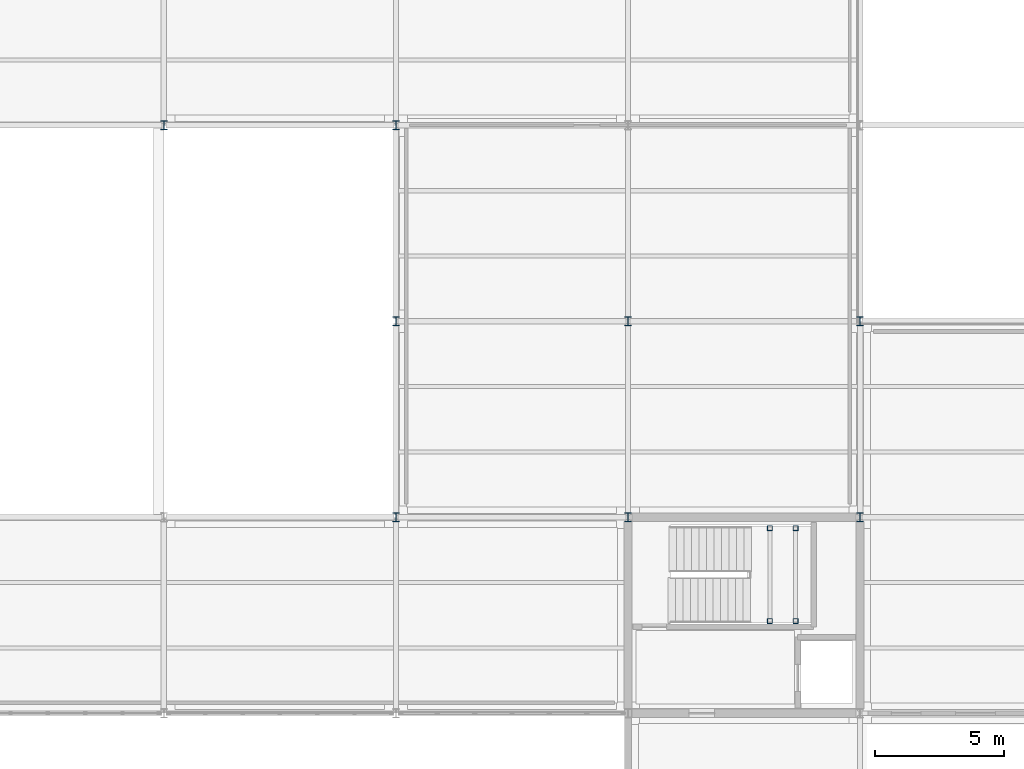
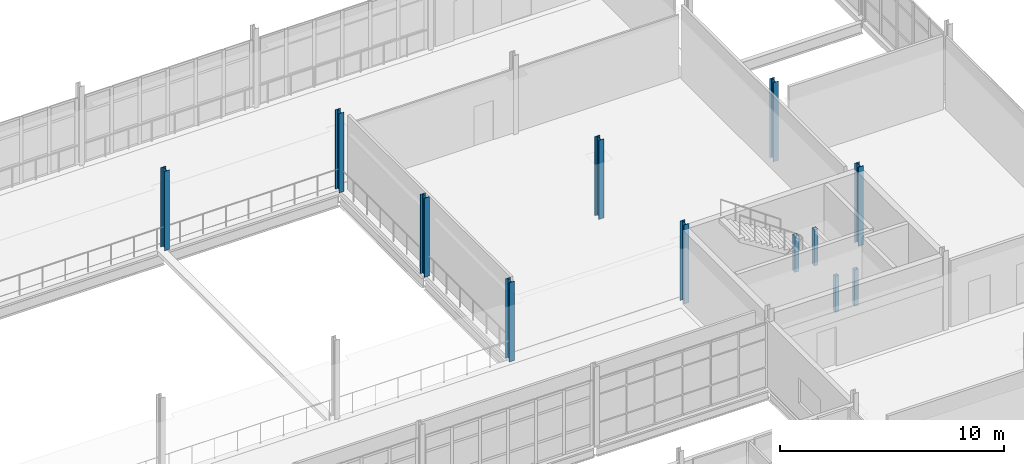
# One storey, part 7 of 174: 12 columns.
"""IFC4 building model written with IfcOpenShell, lengths in metres."""

import ifcopenshell
import ifcopenshell.guid

model = None  # the IFC model being written
_history = None  # IfcOwnerHistory: only IFC2X3 demands one
_inside = {}  # id of a spatial element -> (the spatial element, [elements in it])
_under = {}  # id of a project, library or spatial element -> (it, [spatial elements below it])
_declared = {}  # id of a project -> (the project, [libraries it declares])
_typed = {}  # id of a type object -> (the type object, [elements of that type])
_made_of = {}  # id of a material, layer set ... -> (it, [elements and type objects made of it])


def new_model(schema):
    """Start an empty IFC model of exactly this schema.

    Asked for "IFC4X3", IfcOpenShell would pick the latest addendum, in which some entities
    have other attributes; the version numbers below select the first issue.
    IFC2X3 requires an IfcOwnerHistory on every rooted entity: one is made here for all.
    """
    global model, _history
    if schema == "IFC4X3":
        model = ifcopenshell.file(schema_version=(4, 3, 0, 0))
    else:
        model = ifcopenshell.file(schema=schema)
    _inside.clear()
    _under.clear()
    _declared.clear()
    _typed.clear()
    _made_of.clear()
    _history = None
    if model.schema == "IFC2X3":
        org = make("IfcOrganization", Name="unknown")
        user = make(
            "IfcPersonAndOrganization",
            ThePerson=make("IfcPerson", FamilyName="unknown"),
            TheOrganization=org,
        )
        app = make(
            "IfcApplication",
            ApplicationDeveloper=org,
            Version="unknown",
            ApplicationFullName="unknown",
            ApplicationIdentifier="unknown",
        )
        _history = make(
            "IfcOwnerHistory",
            OwningUser=user,
            OwningApplication=app,
            ChangeAction="ADDED",
            CreationDate=0,
        )
    return model


def make(cls, **values):
    """One entity of the class cls with the attributes given. An attribute that is None is left unset."""
    return model.create_entity(
        cls, **{name: value for name, value in values.items() if value is not None}
    )


def rooted(cls, **values):
    """An entity with a GlobalId (a new one), such as an element, a storey or a relation."""
    return make(cls, GlobalId=ifcopenshell.guid.new(), OwnerHistory=_history, **values)


def si_unit(unit_type, name, prefix=None):
    """IfcSIUnit, for example si_unit("LENGTHUNIT", "METRE", prefix="MILLI")."""
    return make("IfcSIUnit", UnitType=unit_type, Prefix=prefix, Name=name)


def assignment(units):
    """IfcUnitAssignment: the units of a project."""
    return None if units is None else make("IfcUnitAssignment", Units=units)


def point(xyz):
    """IfcCartesianPoint."""
    return None if xyz is None else make("IfcCartesianPoint", Coordinates=xyz)


def direction(xyz):
    """IfcDirection."""
    return None if xyz is None else make("IfcDirection", DirectionRatios=xyz)


def frame(location, z_axis=None, x_axis=None):
    """IfcAxis2Placement3D, a coordinate frame: its origin and axes. An axis left out is left unset."""
    return make(
        "IfcAxis2Placement3D",
        Location=point(location),
        Axis=direction(z_axis),
        RefDirection=direction(x_axis),
    )


def frame_2d(location, x_axis=None):
    """IfcAxis2Placement2D, a coordinate frame in the plane: its origin and x axis."""
    return make(
        "IfcAxis2Placement2D", Location=point(location), RefDirection=direction(x_axis)
    )


def origin():
    """The frame at (0, 0, 0) with its axes left unset."""
    return frame((0.0, 0.0, 0.0))


def origin_2d():
    """The frame at (0, 0) in the plane with its x axis left unset."""
    return frame_2d((0.0, 0.0))


def place(relative_to, where):
    """IfcLocalPlacement: puts the frame where relative to a parent placement (None: the world)."""
    return make(
        "IfcLocalPlacement", PlacementRelTo=relative_to, RelativePlacement=where
    )


def context(
    kind, dimensions, precision=None, world=None, true_north=None, identifier=None
):
    """IfcGeometricRepresentationContext, for example the 3D "Model" context."""
    return make(
        "IfcGeometricRepresentationContext",
        ContextIdentifier=identifier,
        ContextType=kind,
        CoordinateSpaceDimension=dimensions,
        Precision=precision,
        WorldCoordinateSystem=world,
        TrueNorth=true_north,
    )


def subcontext(parent, identifier, kind, view, scale=None):
    """IfcGeometricRepresentationSubContext, for example "Body" below "Model"."""
    return make(
        "IfcGeometricRepresentationSubContext",
        ContextIdentifier=identifier,
        ContextType=kind,
        ParentContext=parent,
        TargetScale=scale,
        TargetView=view,
    )


def project(units=None, contexts=None):
    """IfcProject with its units and contexts."""
    return rooted(
        "IfcProject",
        Name="project",
        RepresentationContexts=contexts,
        UnitsInContext=assignment(units),
    )


def spatial(cls, under=None, at=None, **own):
    """A site, building, storey or space (cls), placed at a placement, below another one or the project."""
    s = rooted(cls, ObjectPlacement=at, **own)
    if under is not None:
        _under.setdefault(under.id(), (under, []))[1].append(s)
    return s


def profile(cls, at=None, kind="AREA", **sizes):
    """A parametric profile (cls). Its sizes go by their IFC names, for example OverallWidth=200.0."""
    return make(cls, ProfileType=kind, Position=at, **sizes)


def hollow_rectangle(**sizes):
    """IfcRectangleHollowProfileDef."""
    return profile("IfcRectangleHollowProfileDef", **sizes)


def i_section(**sizes):
    """IfcIShapeProfileDef."""
    return profile("IfcIShapeProfileDef", **sizes)


def extrude(swept, where, along, depth):
    """IfcExtrudedAreaSolid: the profile swept, set in the frame where, extruded along a direction by depth."""
    return make(
        "IfcExtrudedAreaSolid",
        SweptArea=swept,
        Position=where,
        ExtrudedDirection=direction(along),
        Depth=depth,
    )


def shape(context_of_items, identifier, shape_type, items):
    """IfcShapeRepresentation: the items that make up one representation, for example the "Body"."""
    return make(
        "IfcShapeRepresentation",
        ContextOfItems=context_of_items,
        RepresentationIdentifier=identifier,
        RepresentationType=shape_type,
        Items=items,
    )


def material(Name=None, Category=None):
    """IfcMaterial."""
    return make("IfcMaterial", Name=Name, Category=Category)


def material_profile(
    of_material, cross_section, Name=None, Category=None, Priority=None
):
    """IfcMaterialProfile: a cross section and its material."""
    return make(
        "IfcMaterialProfile",
        Name=Name,
        Material=of_material,
        Profile=cross_section,
        Priority=Priority,
        Category=Category,
    )


def profile_set(profiles, Name=None, composite=None):
    """IfcMaterialProfileSet."""
    return make(
        "IfcMaterialProfileSet",
        Name=Name,
        MaterialProfiles=profiles,
        CompositeProfile=composite,
    )


def made_of(thing, what):
    """Note that an element or type object is made of a material, layer set ...; save() writes the relation."""
    if what is not None:
        _made_of.setdefault(what.id(), (what, []))[1].append(thing)
    return thing


def type_object(cls, material=None, **own):
    """A type object (cls), such as IfcWallType, which elements share."""
    return made_of(rooted(cls, **own), material)


def element(
    cls,
    number,
    at=None,
    inside=None,
    cuts=None,
    type_object=None,
    material=None,
    context=None,
    identifier="Body",
    shape_type=None,
    held_by="IfcProductDefinitionShape",
    body=None,
    shapes=None,
    **own,
):
    """One element of the class cls, such as IfcWall. Its Tag is "e" and its number.

    at: its placement. inside: the storey or other place that contains it. cuts: it is an
    opening in that element (IfcRelVoidsElement). A single representation is given by context,
    identifier, shape_type and body (its items); several are given by shapes. held_by: the class
    of the entity that holds the representations. save() writes the other relations.
    """
    e = rooted(cls, Tag="e%d" % number, ObjectPlacement=at, **own)
    if body is not None:
        shapes = [shape(context, identifier, shape_type, body)]
    if shapes is not None:
        e.Representation = make(held_by, Representations=shapes)
    if inside is not None:
        _inside.setdefault(inside.id(), (inside, []))[1].append(e)
    if cuts is not None:
        rooted(
            "IfcRelVoidsElement", RelatingBuildingElement=cuts, RelatedOpeningElement=e
        )
    if type_object is not None:
        _typed.setdefault(type_object.id(), (type_object, []))[1].append(e)
    return made_of(e, material)


def aggregate(whole, parts):
    """IfcRelAggregates: a whole, such as a stair, and the parts it consists of."""
    return rooted("IfcRelAggregates", RelatingObject=whole, RelatedObjects=parts)


def save(model, path):
    """Write the relations noted so far, then the file.

    IfcRelAggregates (storeys below a building ...), IfcRelContainedInSpatialStructure (elements
    in a storey), IfcRelDefinesByType, IfcRelAssociatesMaterial and IfcRelDeclares: one each for
    every whole, place, type object, material and project.
    """
    for whole, parts in _under.values():
        aggregate(whole, parts)
    for where, things in _inside.values():
        rooted(
            "IfcRelContainedInSpatialStructure",
            RelatedElements=things,
            RelatingStructure=where,
        )
    for kind, things in _typed.values():
        rooted("IfcRelDefinesByType", RelatedObjects=things, RelatingType=kind)
    for what, things in _made_of.values():
        rooted("IfcRelAssociatesMaterial", RelatedObjects=things, RelatingMaterial=what)
    for by, libraries in _declared.values():
        rooted("IfcRelDeclares", RelatingContext=by, RelatedDefinitions=libraries)
    model.write(path)


model = new_model("IFC4")

# Units and contexts
model_context = context("Model", 3, precision=1e-05, world=origin(), true_north=direction((0.0, 1.0)))
body_context = subcontext(model_context, "Body", "Model", "MODEL_VIEW")
ifc_project = project(units=[si_unit("LENGTHUNIT", "METRE"), si_unit("AREAUNIT", "SQUARE_METRE"), si_unit("VOLUMEUNIT", "CUBIC_METRE"), si_unit("PLANEANGLEUNIT", "RADIAN"), si_unit("MASSUNIT", "GRAM", prefix="KILO")], contexts=[model_context])

# Site, building, storey
site_placement = place(None, origin())
site = spatial("IfcSite", under=ifc_project, at=site_placement, CompositionType="ELEMENT")
building_placement = place(site_placement, origin())
building = spatial("IfcBuilding", under=site, at=building_placement, Name="Caisbarro Railhouse Central Library", CompositionType="ELEMENT")
storey_placement = place(building_placement, frame((0.0, 0.0, 5.0400390625)))
storey = spatial("IfcBuildingStorey", under=building, at=storey_placement, Name="L01", CompositionType="ELEMENT", Elevation=5.0400390625)

# Columns
ifc_material = material(Name="Steel ASTM A572 Grade 50", Category="steel")
ifc_material_profile_1 = material_profile(ifc_material, i_section(OverallWidth=0.257080078125, OverallDepth=0.363037109375, WebThickness=0.012939453125, FlangeThickness=0.021728515625, FilletRadius=0.014892578125, at=origin_2d()), Name="W360X122.0")
ifc_profile_set_1 = profile_set([ifc_material_profile_1], Name="Steel ASTM A572 Grade 50")
column_type_1 = type_object("IfcColumnType", Name="COL-C04", PredefinedType="COLUMN", material=ifc_profile_set_1)
for number, where, z_axis, x_axis, name in (
    (1, (36.0, 53.199951171875, 0.0), (0.0, 0.0, 1.0), (1.0, 0.0, 0.0), "C04 column L01 (36.0,53.2)"),
    (2, (45.0, 38.0, 0.0), (0.0, 0.0, 1.0), (1.0, 0.0, 0.0), "C04 column L01 (45.0,38.0)"),
    (3, (45.0, 45.60009765625, 0.0), (0.0, 0.0, 1.0), (1.0, 0.0, 0.0), "C04 column L01 (45.0,45.6)"),
    (4, (45.0, 53.199951171875, 0.0), (0.0, 0.0, 1.0), (1.0, 0.0, 0.0), "C04 column L01 (45.0,53.2)"),
    (5, (54.0, 38.0, 0.0), (0.0, 0.0, 1.0), (1.0, 0.0, 0.0), "C04 column L01 (54.0,38.0)"),
    (6, (54.0, 45.60009765625, 0.0), (0.0, 0.0, 1.0), (1.0, 0.0, 0.0), "C04 column L01 (54.0,45.6)"),
    (7, (63.0, 38.0, 0.0), (0.0, 0.0, 1.0), (1.0, 0.0, 0.0), "C04 column L01 (63.0,38.0)"),
    (8, (63.0, 45.60009765625, 0.0), (0.0, 0.0, 1.0), (1.0, 0.0, 0.0), "C04 column L01 (63.0,45.6)"),
):
    element("IfcColumn", number, at=place(storey_placement, frame(where, z_axis=z_axis, x_axis=x_axis)), inside=storey, type_object=column_type_1, Name=name, PredefinedType="COLUMN", context=body_context, shape_type="SweptSolid", body=[
        extrude(i_section(OverallWidth=0.257080078125, OverallDepth=0.363037109375, WebThickness=0.012939453125, FlangeThickness=0.021728515625, FilletRadius=0.014892578125, at=origin_2d()), origin(), (0.0, 0.0, 1.0), 4.320068359375),
    ])
ifc_material_profile_2 = material_profile(ifc_material, hollow_rectangle(XDim=0.199951171875, YDim=0.199951171875, WallThickness=0.012451171875, at=origin_2d()), Name="HSS200X200X12.5")
ifc_profile_set_2 = profile_set([ifc_material_profile_2], Name="Steel ASTM A572 Grade 50")
column_type_2 = type_object("IfcColumnType", Name="COL-C10", PredefinedType="COLUMN", material=ifc_profile_set_2)
for number, where, z_axis, x_axis, name in (
    (9, (59.5, 33.969970703125, 0.0), (0.0, 0.0, 1.0), (1.0, 0.0, 0.0), "C10 Stair Landing Post K4 L01.1"),
    (10, (59.5, 37.580078125, 0.0), (0.0, 0.0, 1.0), (1.0, 0.0, 0.0), "C10 Stair Landing Post K4 L01.2"),
    (11, (60.5, 33.969970703125, 0.0), (0.0, 0.0, 1.0), (1.0, 0.0, 0.0), "C10 Stair Landing Post K4 L01.3"),
    (12, (60.5, 37.580078125, 0.0), (0.0, 0.0, 1.0), (1.0, 0.0, 0.0), "C10 Stair Landing Post K4 L01.4"),
):
    element("IfcColumn", number, at=place(storey_placement, frame(where, z_axis=z_axis, x_axis=x_axis)), inside=storey, type_object=column_type_2, Name=name, PredefinedType="COLUMN", context=body_context, shape_type="SweptSolid", body=[
        extrude(hollow_rectangle(XDim=0.199951171875, YDim=0.199951171875, WallThickness=0.012451171875, at=origin_2d()), origin(), (0.0, 0.0, 1.0), 1.969970703125),
    ])

save(model, "model.ifc")
